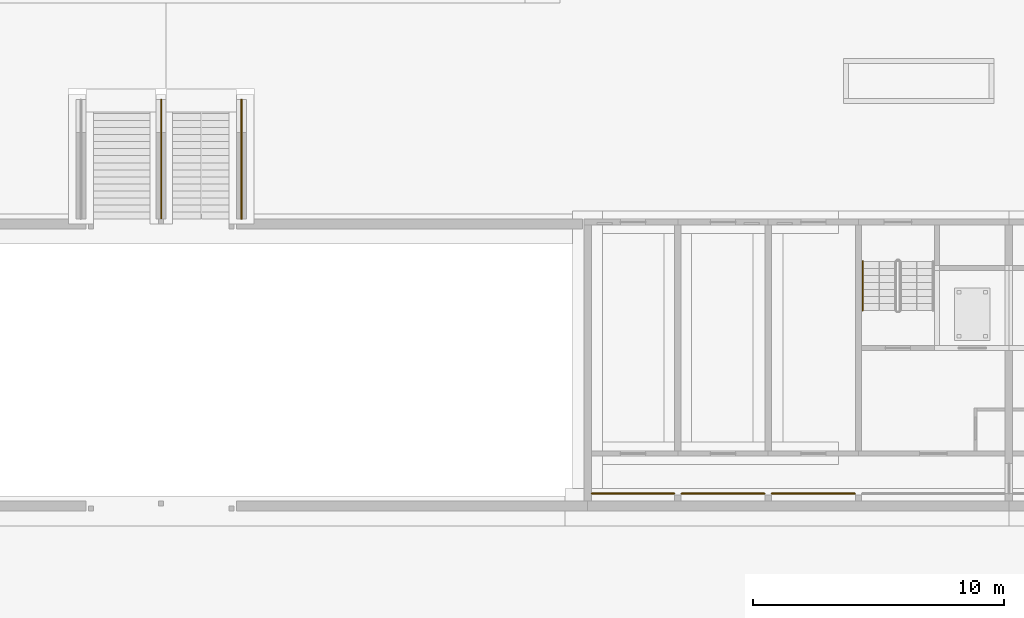
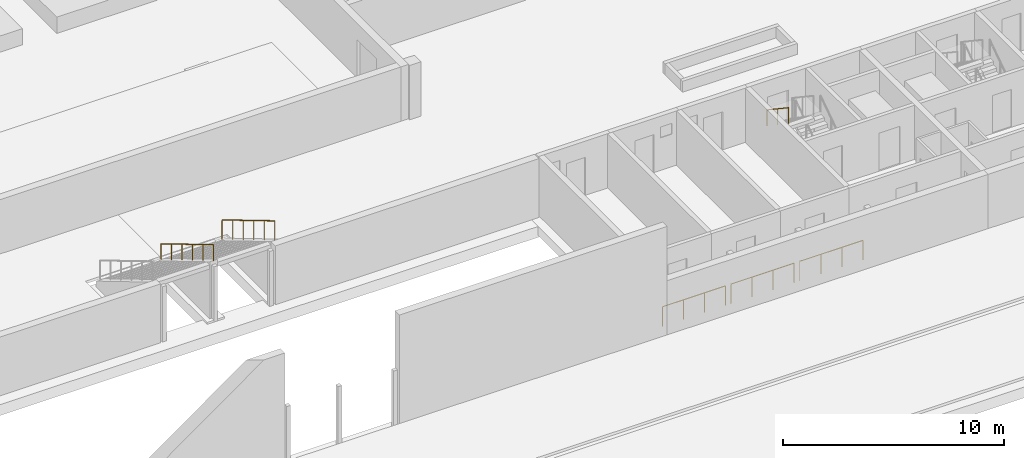
# One storey, part 96 of 112: 6 railings.
"""IFC4 building model written with IfcOpenShell, lengths in metres."""

from ifc_helpers import new_model, si_unit, direction, frame, origin, origin_2d, place, context, subcontext, project, spatial, circle, extrude, material, type_object, element, save


model = new_model("IFC4")

# Units and contexts
model_context = context("Model", 3, precision=1e-05, world=origin(), true_north=direction((0.0, 1.0)))
body_context = subcontext(model_context, "Body", "Model", "MODEL_VIEW")
ifc_project = project(units=[si_unit("LENGTHUNIT", "METRE"), si_unit("AREAUNIT", "SQUARE_METRE"), si_unit("VOLUMEUNIT", "CUBIC_METRE"), si_unit("PLANEANGLEUNIT", "RADIAN"), si_unit("MASSUNIT", "GRAM", prefix="KILO")], contexts=[model_context])

# Site, building, storey
site_placement = place(None, origin())
site = spatial("IfcSite", under=ifc_project, at=site_placement, CompositionType="ELEMENT")
building_placement = place(site_placement, origin())
building = spatial("IfcBuilding", under=site, at=building_placement, Name="Ridgestep Commons", CompositionType="ELEMENT")
storey_placement = place(building_placement, origin())
storey = spatial("IfcBuildingStorey", under=building, at=storey_placement, Name="L00", CompositionType="ELEMENT", Elevation=0.0)

# Railings
ifc_material_1 = material(Name="Structural steel S355JR", Category="steel")
railing_type_1 = type_object("IfcRailingType", Name="Community stair guard 1100", PredefinedType="GUARDRAIL", material=ifc_material_1)
railing_1_placement = place(storey_placement, frame((133.0, 27.760009765625, 0.166748046875)))
element("IfcRailing", 1, at=railing_1_placement, inside=storey, type_object=railing_type_1, Name="Stair guard", PredefinedType="GUARDRAIL", context=body_context, shape_type="SweptSolid", body=[
    extrude(circle(Radius=0.02392578125, at=origin_2d()), frame((0.0, 0.0, 1.076171875), z_axis=(0.0, -0.859299802514, 0.511472237174), x_axis=(1.0, 0.0, 0.0)), (0.0, 0.0, 1.0), 5.539306640625),
    extrude(circle(Radius=0.02099609375, at=origin_2d()), origin(), (0.0, 0.0, 1.0), 1.052001953125),
    extrude(circle(Radius=0.02099609375, at=origin_2d()), frame((0.0, -0.951904296875, 0.566650390625)), (0.0, 0.0, 1.0), 1.052001953125),
    extrude(circle(Radius=0.02099609375, at=origin_2d()), frame((0.0, -1.904052734375, 1.13330078125)), (0.0, 0.0, 1.0), 1.052001953125),
    extrude(circle(Radius=0.02099609375, at=origin_2d()), frame((0.0, -2.85595703125, 1.699951171875)), (0.0, 0.0, 1.0), 1.052001953125),
    extrude(circle(Radius=0.02099609375, at=origin_2d()), frame((0.0, -3.80810546875, 2.2666015625)), (0.0, 0.0, 1.0), 1.052001953125),
    extrude(circle(Radius=0.02099609375, at=origin_2d()), frame((0.0, -4.760009765625, 2.833251953125)), (0.0, 0.0, 1.0), 1.052001953125),
])
ifc_material_2 = material(Name="Structural steel S355JR", Category="steel")
railing_type_2 = type_object("IfcRailingType", Name="Community stair handrail 900", PredefinedType="HANDRAIL", material=ifc_material_2)
railing_2_placement = place(storey_placement, frame((129.800048828125, 27.760009765625, 0.166748046875)))
element("IfcRailing", 2, at=railing_2_placement, inside=storey, type_object=railing_type_2, Name="Stair centre handrail", PredefinedType="HANDRAIL", context=body_context, shape_type="SweptSolid", body=[
    extrude(circle(Radius=0.02392578125, at=origin_2d()), frame((0.0, 0.0, 0.8759765625), z_axis=(0.0, -0.859299802514, 0.511472237174), x_axis=(1.0, 0.0, 0.0)), (0.0, 0.0, 1.0), 5.539306640625),
    extrude(circle(Radius=0.02099609375, at=origin_2d()), origin(), (0.0, 0.0, 1.0), 0.851806640625),
    extrude(circle(Radius=0.02099609375, at=origin_2d()), frame((0.0, -0.951904296875, 0.566650390625)), (0.0, 0.0, 1.0), 0.851806640625),
    extrude(circle(Radius=0.02099609375, at=origin_2d()), frame((0.0, -1.904052734375, 1.13330078125)), (0.0, 0.0, 1.0), 0.851806640625),
    extrude(circle(Radius=0.02099609375, at=origin_2d()), frame((0.0, -2.85595703125, 1.699951171875)), (0.0, 0.0, 1.0), 0.851806640625),
    extrude(circle(Radius=0.02099609375, at=origin_2d()), frame((0.0, -3.80810546875, 2.2666015625)), (0.0, 0.0, 1.0), 0.851806640625),
    extrude(circle(Radius=0.02099609375, at=origin_2d()), frame((0.0, -4.760009765625, 2.833251953125)), (0.0, 0.0, 1.0), 0.851806640625),
])
ifc_material_3 = material(Name="Structural steel S355JR galvanised", Category="steel")
railing_type_3 = type_object("IfcRailingType", Name="Passage guard 1100", PredefinedType="GUARDRAIL", material=ifc_material_3)
railing_3_placement = place(storey_placement, frame((146.970947265625, 12.050048828125, 0.0)))
element("IfcRailing", 3, at=railing_3_placement, inside=storey, type_object=railing_type_3, Name="Passage guard D 00.1", PredefinedType="GUARDRAIL", context=body_context, shape_type="SweptSolid", body=[
    extrude(circle(Radius=0.02392578125, at=origin_2d()), frame((0.0, 0.0, 1.076171875), z_axis=(1.0, 0.0, 0.0), x_axis=(0.0, 1.0, 0.0)), (0.0, 0.0, 1.0), 3.282958984375),
    extrude(circle(Radius=0.02099609375, at=origin_2d()), origin(), (0.0, 0.0, 1.0), 1.052001953125),
    extrude(circle(Radius=0.02099609375, at=origin_2d()), frame((1.09423828125, 0.0, 0.0)), (0.0, 0.0, 1.0), 1.052001953125),
    extrude(circle(Radius=0.02099609375, at=origin_2d()), frame((2.188720703125, 0.0, 0.0)), (0.0, 0.0, 1.0), 1.052001953125),
    extrude(circle(Radius=0.02099609375, at=origin_2d()), frame((3.282958984375, 0.0, 0.0)), (0.0, 0.0, 1.0), 1.052001953125),
])
for number, where, name in (
    (4, (150.5458984375, 12.050048828125, 0.0), "Passage guard D 00.2"),
    (5, (154.14599609375, 12.050048828125, 0.0), "Passage guard D 00.3"),
):
    element("IfcRailing", number, at=place(storey_placement, frame(where)), inside=storey, type_object=railing_type_3, Name=name, PredefinedType="GUARDRAIL", context=body_context, shape_type="SweptSolid", body=[
        extrude(circle(Radius=0.02392578125, at=origin_2d()), frame((0.0, 0.0, 1.076171875), z_axis=(1.0, 0.0, 0.0), x_axis=(0.0, 1.0, 0.0)), (0.0, 0.0, 1.0), 3.30810546875),
        extrude(circle(Radius=0.02099609375, at=origin_2d()), origin(), (0.0, 0.0, 1.0), 1.052001953125),
        extrude(circle(Radius=0.02099609375, at=origin_2d()), frame((1.102783203125, 0.0, 0.0)), (0.0, 0.0, 1.0), 1.052001953125),
        extrude(circle(Radius=0.02099609375, at=origin_2d()), frame((2.205322265625, 0.0, 0.0)), (0.0, 0.0, 1.0), 1.052001953125),
        extrude(circle(Radius=0.02099609375, at=origin_2d()), frame((3.30810546875, 0.0, 0.0)), (0.0, 0.0, 1.0), 1.052001953125),
    ])
ifc_material_4 = material(Name="Structural steel S355JR", Category="steel")
railing_type_4 = type_object("IfcRailingType", Name="Stair handrail 900", PredefinedType="HANDRAIL", material=ifc_material_4)
railing_4_placement = place(storey_placement, frame((157.77490234375, 21.31005859375, 1.6875)))
element("IfcRailing", 6, at=railing_4_placement, inside=storey, type_object=railing_type_4, Name="L00 D1C stair handrail 2", PredefinedType="HANDRAIL", context=body_context, shape_type="SweptSolid", body=[
    extrude(circle(Radius=0.02392578125, at=origin_2d()), frame((0.0, 0.0, 0.8759765625), z_axis=(0.0, -0.830902050051, 0.556418712142), x_axis=(1.0, 0.0, 0.0)), (0.0, 0.0, 1.0), 2.35888671875),
    extrude(circle(Radius=0.02099609375, at=origin_2d()), origin(), (0.0, 0.0, 1.0), 0.851806640625),
    extrude(circle(Radius=0.02099609375, at=origin_2d()), frame((0.0, -0.97998046875, 0.65625)), (0.0, 0.0, 1.0), 0.851806640625),
    extrude(circle(Radius=0.02099609375, at=origin_2d()), frame((0.0, -1.9599609375, 1.3125)), (0.0, 0.0, 1.0), 0.851806640625),
])

save(model, "model.ifc")
